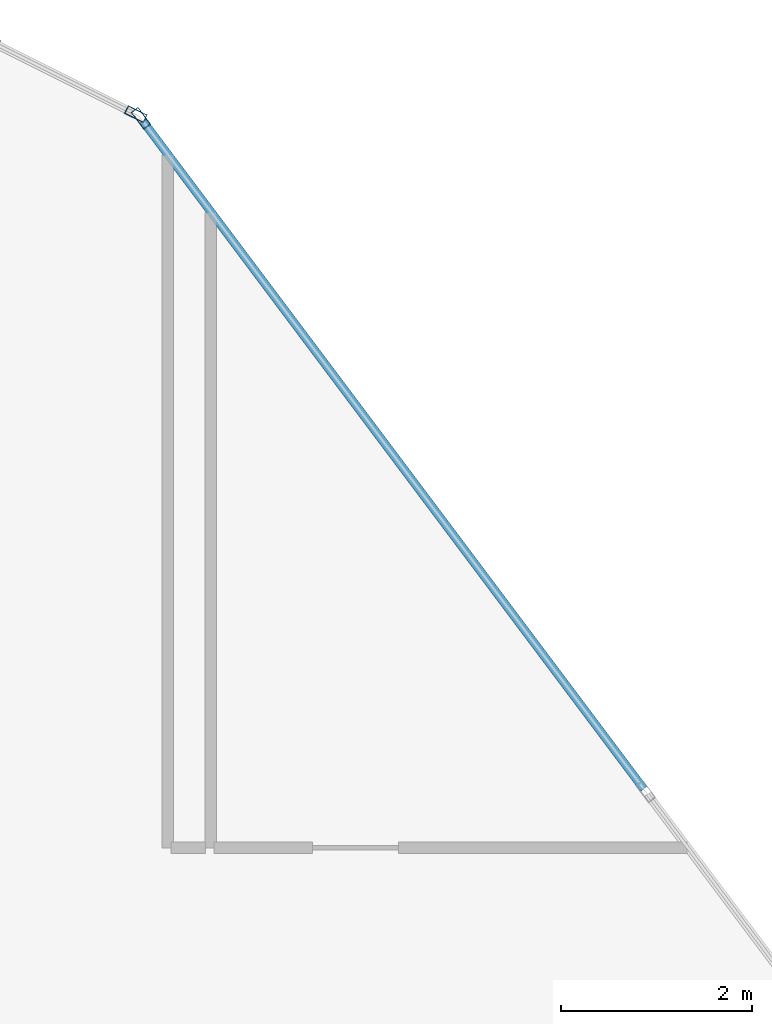
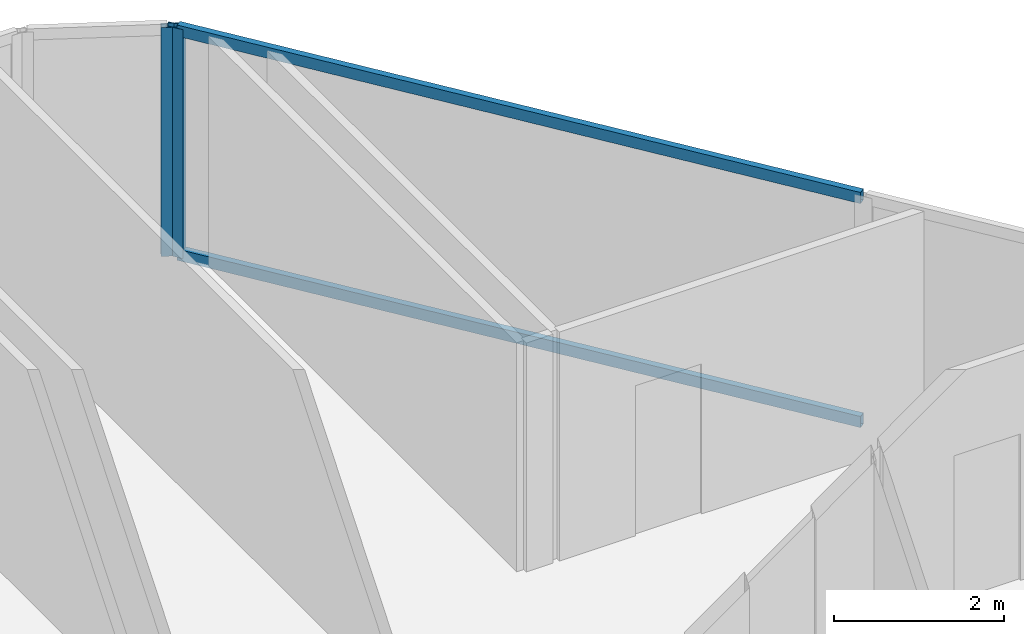
# One storey, part 17 of 33: 4 members, 2 elements without a shape of their own.
"""IFC4 building model written with IfcOpenShell, lengths in metres."""

from ifc_helpers import new_model, si_unit, direction, frame, origin, origin_2d, place, context, subcontext, project, spatial, hollow_rectangle, extrude, material, layer, layer_set, material_profile, profile_set, type_object, element, aggregate, save


model = new_model("IFC4")

# Units and contexts
model_context = context("Model", 3, precision=1e-05, world=origin(), true_north=direction((0.0, 1.0)))
body_context = subcontext(model_context, "Body", "Model", "MODEL_VIEW")
ifc_project = project(units=[si_unit("LENGTHUNIT", "METRE"), si_unit("AREAUNIT", "SQUARE_METRE"), si_unit("VOLUMEUNIT", "CUBIC_METRE"), si_unit("PLANEANGLEUNIT", "RADIAN"), si_unit("MASSUNIT", "GRAM", prefix="KILO")], contexts=[model_context])

# Site, building, storey
site_placement = place(None, origin())
site = spatial("IfcSite", under=ifc_project, at=site_placement, CompositionType="ELEMENT")
building_placement = place(site_placement, origin())
building = spatial("IfcBuilding", under=site, at=building_placement, Name="Keshet Zoharim Tower", CompositionType="ELEMENT")
storey_placement = place(building_placement, frame((0.0, 0.0, 57.300048828125)))
storey = spatial("IfcBuildingStorey", under=building, at=storey_placement, Name="L13", CompositionType="ELEMENT", Elevation=57.300048828125)

# Curtain wall, member
ifc_material = material(Name="Aluminium 6063-T6", Category="aluminium")
ifc_layer = layer(ifc_material, 0.169921875)
ifc_layer_set = layer_set([ifc_layer], Name="Aluminium 6063-T6")
curtain_wall_type = type_object("IfcCurtainWallType", Name="CW-SYS-02", PredefinedType="NOTDEFINED", material=ifc_layer_set)
curtain_wall_1_placement = place(storey_placement, origin())
curtain_wall_1 = element("IfcCurtainWall", 1, at=curtain_wall_1_placement, inside=storey, type_object=curtain_wall_type, Name="L13 Unitised Curtain Wall 08", PredefinedType="NOTDEFINED")
ifc_material_profile_1 = material_profile(ifc_material, hollow_rectangle(XDim=0.090087890625, YDim=0.219970703125, WallThickness=0.0048828125, at=origin_2d()), Name="MUL-90x220")
ifc_profile_set_1 = profile_set([ifc_material_profile_1], Name="Aluminium 6063-T6")
member_type_1 = type_object("IfcMemberType", Name="CWM-M22", PredefinedType="MULLION", material=ifc_profile_set_1)
member_1_placement = place(storey_placement, frame((51.568603515625, 53.11572265625, 0.0), z_axis=(0.0, 0.0, 1.0), x_axis=(0.447213595499, 0.894427191001, 0.0)))
member_1 = element("IfcMember", 2, at=member_1_placement, type_object=member_type_1, Name="CW-02 mullion 2", PredefinedType="MULLION", context=body_context, shape_type="SweptSolid", body=[
    extrude(hollow_rectangle(XDim=0.090087890625, YDim=0.219970703125, WallThickness=0.0048828125, at=origin_2d()), origin(), (0.0, 0.0, 1.0), 3.280029296875),
])
aggregate(curtain_wall_1, [member_1])

# Curtain wall, members
curtain_wall_2_placement = place(storey_placement, origin())
curtain_wall_2 = element("IfcCurtainWall", 3, at=curtain_wall_2_placement, inside=storey, type_object=curtain_wall_type, Name="L13 Unitised Curtain Wall 09", PredefinedType="NOTDEFINED")
member_2_placement = place(storey_placement, frame((51.62109375, 53.072021484375, 0.0), z_axis=(0.0, 0.0, 1.0), x_axis=(0.799999999998, 0.600000000002, 0.0)))
member_2 = element("IfcMember", 4, at=member_2_placement, type_object=member_type_1, Name="CW-02 mullion 1", PredefinedType="MULLION", context=body_context, shape_type="SweptSolid", body=[
    extrude(hollow_rectangle(XDim=0.090087890625, YDim=0.219970703125, WallThickness=0.0048828125, at=origin_2d()), origin(), (0.0, 0.0, 1.0), 3.280029296875),
])
ifc_material_profile_2 = material_profile(ifc_material, hollow_rectangle(XDim=0.0849609375, YDim=0.159912109375, WallThickness=0.00439453125, at=origin_2d()), Name="TRN-85x160")
ifc_profile_set_2 = profile_set([ifc_material_profile_2], Name="Aluminium 6063-T6")
member_type_2 = type_object("IfcMemberType", Name="CWT-T16", PredefinedType="USERDEFINED", material=ifc_profile_set_2)
member_3_placement = place(storey_placement, frame((51.64208984375, 53.0439453125, 0.034912109375), z_axis=(0.599991043201, -0.800006717521, 0.0), x_axis=(0.800006717521, 0.599991043201, 0.0)))
member_3 = element("IfcMember", 5, at=member_3_placement, type_object=member_type_2, Name="CW-02 transom 1.1", ObjectType="TRANSOM", PredefinedType="USERDEFINED", context=body_context, shape_type="SweptSolid", body=[
    extrude(hollow_rectangle(XDim=0.0849609375, YDim=0.159912109375, WallThickness=0.00439453125, at=origin_2d()), origin(), (0.0, 0.0, 1.0), 8.722412109375),
])
member_4_placement = place(storey_placement, frame((51.64208984375, 53.0439453125, 3.244873046875), z_axis=(0.599991043201, -0.800006717521, 0.0), x_axis=(0.800006717521, 0.599991043201, 0.0)))
member_4 = element("IfcMember", 6, at=member_4_placement, type_object=member_type_2, Name="CW-02 transom 1.2", ObjectType="TRANSOM", PredefinedType="USERDEFINED", context=body_context, shape_type="SweptSolid", body=[
    extrude(hollow_rectangle(XDim=0.0849609375, YDim=0.159912109375, WallThickness=0.00439453125, at=origin_2d()), origin(), (0.0, 0.0, 1.0), 8.722412109375),
])
aggregate(curtain_wall_2, [member_2, member_3, member_4])

save(model, "model.ifc")
